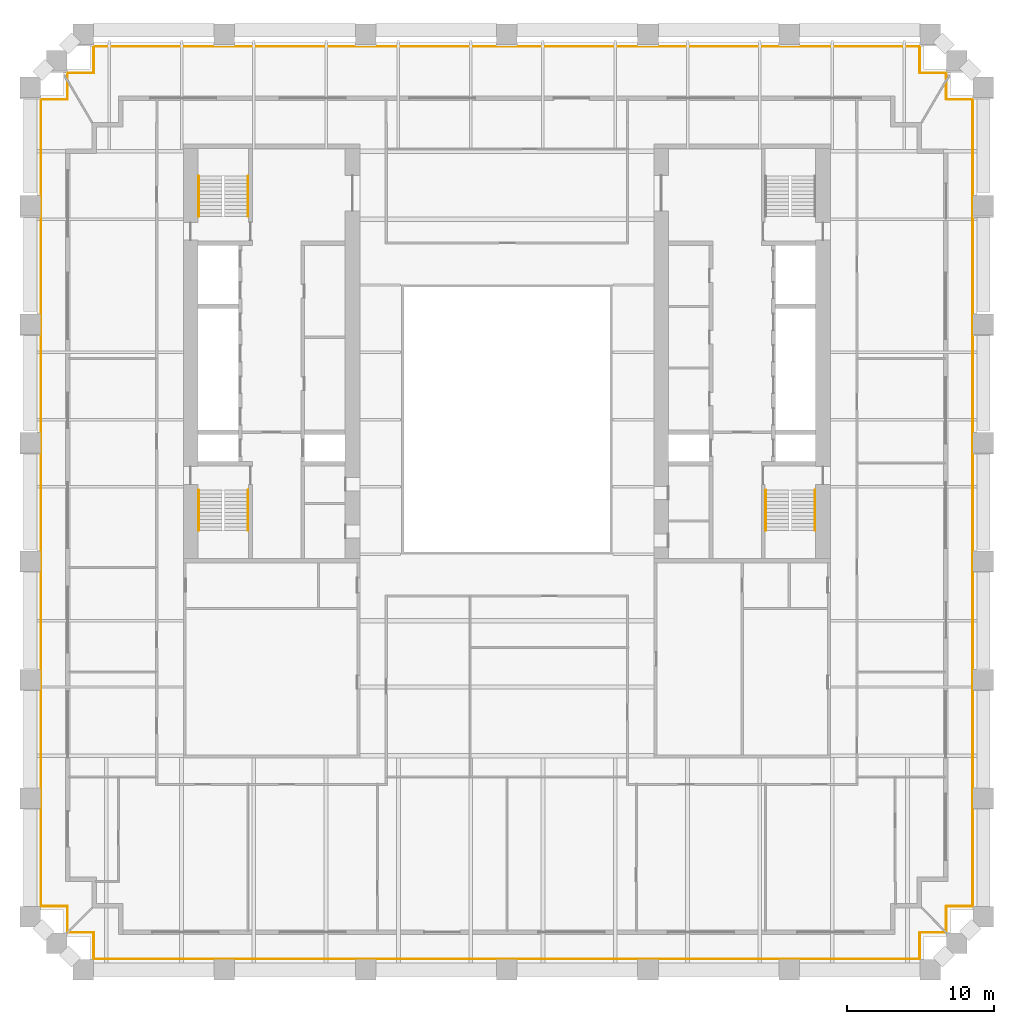
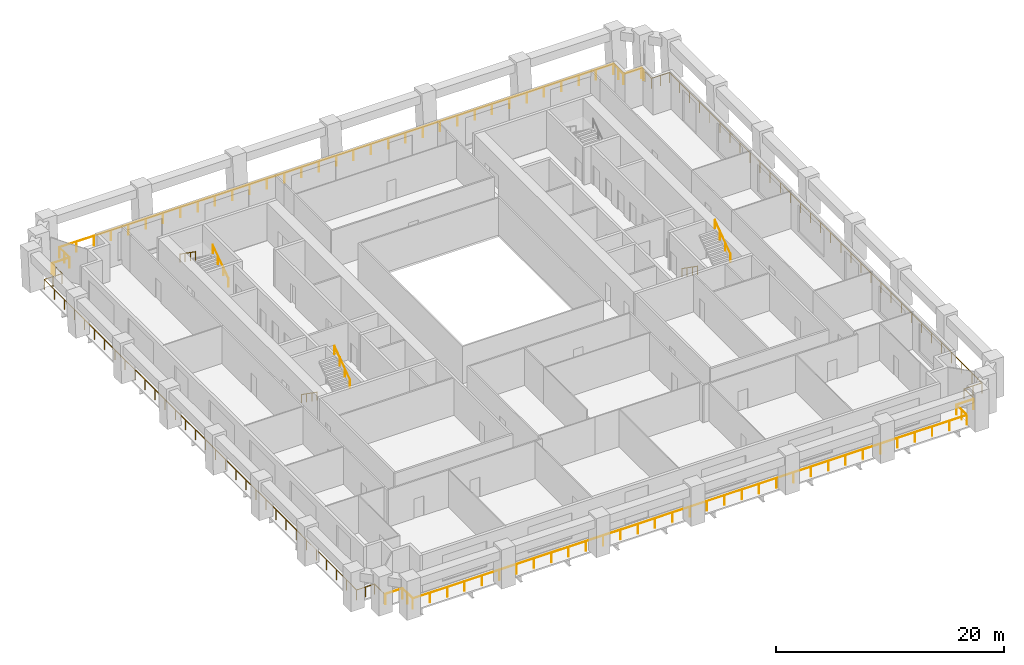
# One storey, part 9 of 10: 10 railings.
"""IFC4 building model written with IfcOpenShell, lengths in metres."""

from ifc_helpers import new_model, si_unit, direction, frame, origin, origin_2d, place, context, subcontext, project, spatial, circle, extrude, material, type_object, element, save


model = new_model("IFC4")

# Units and contexts
model_context = context("Model", 3, precision=1e-05, world=origin(), true_north=direction((0.0, 1.0)))
body_context = subcontext(model_context, "Body", "Model", "MODEL_VIEW")
ifc_project = project(units=[si_unit("LENGTHUNIT", "METRE"), si_unit("AREAUNIT", "SQUARE_METRE"), si_unit("VOLUMEUNIT", "CUBIC_METRE"), si_unit("PLANEANGLEUNIT", "RADIAN"), si_unit("MASSUNIT", "GRAM", prefix="KILO")], contexts=[model_context])

# Site, building, storey
site_placement = place(None, origin())
site = spatial("IfcSite", under=ifc_project, at=site_placement, CompositionType="ELEMENT")
building_placement = place(site_placement, origin())
building = spatial("IfcBuilding", under=site, at=building_placement, Name="Ogive Exchange Tower", CompositionType="ELEMENT")
storey_placement = place(building_placement, frame((0.0, 0.0, 52.199951171875)))
storey = spatial("IfcBuildingStorey", under=building, at=storey_placement, Name="L10", CompositionType="ELEMENT", Elevation=52.199951171875)

# Railings
ifc_material_1 = material(Name="Stainless steel 316", Category="steel")
railing_type_1 = type_object("IfcRailingType", Name="Guard 1100 stainless steel and glass", PredefinedType="GUARDRAIL", material=ifc_material_1)
railing_1_placement = place(storey_placement, frame((29.7880859375, -27.8798828125, -0.050048828125)))
element("IfcRailing", 1, at=railing_1_placement, inside=storey, type_object=railing_type_1, Name="Loggia guard 1", PredefinedType="GUARDRAIL", context=body_context, shape_type="SweptSolid", body=[
    extrude(circle(Radius=0.02392578125, at=origin_2d()), frame((0.0, 0.0, 1.076171875), z_axis=(-1.0, 0.0, 0.0), x_axis=(0.0, -1.0, 0.0)), (0.0, 0.0, 1.0), 1.7080078125),
    extrude(circle(Radius=0.02392578125, at=origin_2d()), frame((-1.7080078125, 0.0, 1.076171875), z_axis=(0.0, -1.0, 0.0), x_axis=(1.0, 0.0, 0.0)), (0.0, 0.0, 1.0), 1.800048828125),
    extrude(circle(Radius=0.02392578125, at=origin_2d()), frame((-1.7080078125, -1.800048828125, 1.076171875), z_axis=(-1.0, 0.0, 0.0), x_axis=(0.0, -1.0, 0.0)), (0.0, 0.0, 1.0), 56.16015625),
    extrude(circle(Radius=0.02392578125, at=origin_2d()), frame((-57.8681640625, -1.800048828125, 1.076171875), z_axis=(0.0, 1.0, 0.0), x_axis=(-1.0, 0.0, 0.0)), (0.0, 0.0, 1.0), 1.800048828125),
    extrude(circle(Radius=0.02392578125, at=origin_2d()), frame((-57.8681640625, 0.0, 1.076171875), z_axis=(-1.0, 0.0, 0.0), x_axis=(0.0, -1.0, 0.0)), (0.0, 0.0, 1.0), 1.7080078125),
    extrude(circle(Radius=0.02099609375, at=origin_2d()), origin(), (0.0, 0.0, 1.0), 1.052001953125),
    extrude(circle(Radius=0.02099609375, at=origin_2d()), frame((-1.7080078125, 0.0, 0.0)), (0.0, 0.0, 1.0), 1.052001953125),
    extrude(circle(Radius=0.02099609375, at=origin_2d()), frame((-1.7080078125, -0.89990234375, 0.0)), (0.0, 0.0, 1.0), 1.052001953125),
    extrude(circle(Radius=0.02099609375, at=origin_2d()), frame((-1.7080078125, -1.800048828125, 0.0)), (0.0, 0.0, 1.0), 1.052001953125),
    extrude(circle(Radius=0.02099609375, at=origin_2d()), frame((-3.462890625, -1.800048828125, 0.0)), (0.0, 0.0, 1.0), 1.052001953125),
    extrude(circle(Radius=0.02099609375, at=origin_2d()), frame((-5.218017578125, -1.800048828125, 0.0)), (0.0, 0.0, 1.0), 1.052001953125),
    extrude(circle(Radius=0.02099609375, at=origin_2d()), frame((-6.97314453125, -1.800048828125, 0.0)), (0.0, 0.0, 1.0), 1.052001953125),
    extrude(circle(Radius=0.02099609375, at=origin_2d()), frame((-8.72802734375, -1.800048828125, 0.0)), (0.0, 0.0, 1.0), 1.052001953125),
    extrude(circle(Radius=0.02099609375, at=origin_2d()), frame((-10.48291015625, -1.800048828125, 0.0)), (0.0, 0.0, 1.0), 1.052001953125),
    extrude(circle(Radius=0.02099609375, at=origin_2d()), frame((-12.238037109375, -1.800048828125, 0.0)), (0.0, 0.0, 1.0), 1.052001953125),
    extrude(circle(Radius=0.02099609375, at=origin_2d()), frame((-13.9931640625, -1.800048828125, 0.0)), (0.0, 0.0, 1.0), 1.052001953125),
    extrude(circle(Radius=0.02099609375, at=origin_2d()), frame((-15.748046875, -1.800048828125, 0.0)), (0.0, 0.0, 1.0), 1.052001953125),
    extrude(circle(Radius=0.02099609375, at=origin_2d()), frame((-17.5029296875, -1.800048828125, 0.0)), (0.0, 0.0, 1.0), 1.052001953125),
    extrude(circle(Radius=0.02099609375, at=origin_2d()), frame((-19.258056640625, -1.800048828125, 0.0)), (0.0, 0.0, 1.0), 1.052001953125),
    extrude(circle(Radius=0.02099609375, at=origin_2d()), frame((-21.01318359375, -1.800048828125, 0.0)), (0.0, 0.0, 1.0), 1.052001953125),
    extrude(circle(Radius=0.02099609375, at=origin_2d()), frame((-22.76806640625, -1.800048828125, 0.0)), (0.0, 0.0, 1.0), 1.052001953125),
    extrude(circle(Radius=0.02099609375, at=origin_2d()), frame((-24.52294921875, -1.800048828125, 0.0)), (0.0, 0.0, 1.0), 1.052001953125),
    extrude(circle(Radius=0.02099609375, at=origin_2d()), frame((-26.278076171875, -1.800048828125, 0.0)), (0.0, 0.0, 1.0), 1.052001953125),
    extrude(circle(Radius=0.02099609375, at=origin_2d()), frame((-28.033203125, -1.800048828125, 0.0)), (0.0, 0.0, 1.0), 1.052001953125),
    extrude(circle(Radius=0.02099609375, at=origin_2d()), frame((-29.7880859375, -1.800048828125, 0.0)), (0.0, 0.0, 1.0), 1.052001953125),
    extrude(circle(Radius=0.02099609375, at=origin_2d()), frame((-31.54296875, -1.800048828125, 0.0)), (0.0, 0.0, 1.0), 1.052001953125),
    extrude(circle(Radius=0.02099609375, at=origin_2d()), frame((-33.298095703125, -1.800048828125, 0.0)), (0.0, 0.0, 1.0), 1.052001953125),
    extrude(circle(Radius=0.02099609375, at=origin_2d()), frame((-35.05322265625, -1.800048828125, 0.0)), (0.0, 0.0, 1.0), 1.052001953125),
    extrude(circle(Radius=0.02099609375, at=origin_2d()), frame((-36.80810546875, -1.800048828125, 0.0)), (0.0, 0.0, 1.0), 1.052001953125),
    extrude(circle(Radius=0.02099609375, at=origin_2d()), frame((-38.56298828125, -1.800048828125, 0.0)), (0.0, 0.0, 1.0), 1.052001953125),
    extrude(circle(Radius=0.02099609375, at=origin_2d()), frame((-40.318115234375, -1.800048828125, 0.0)), (0.0, 0.0, 1.0), 1.052001953125),
    extrude(circle(Radius=0.02099609375, at=origin_2d()), frame((-42.0732421875, -1.800048828125, 0.0)), (0.0, 0.0, 1.0), 1.052001953125),
    extrude(circle(Radius=0.02099609375, at=origin_2d()), frame((-43.828125, -1.800048828125, 0.0)), (0.0, 0.0, 1.0), 1.052001953125),
    extrude(circle(Radius=0.02099609375, at=origin_2d()), frame((-45.5830078125, -1.800048828125, 0.0)), (0.0, 0.0, 1.0), 1.052001953125),
    extrude(circle(Radius=0.02099609375, at=origin_2d()), frame((-47.338134765625, -1.800048828125, 0.0)), (0.0, 0.0, 1.0), 1.052001953125),
    extrude(circle(Radius=0.02099609375, at=origin_2d()), frame((-49.09326171875, -1.800048828125, 0.0)), (0.0, 0.0, 1.0), 1.052001953125),
    extrude(circle(Radius=0.02099609375, at=origin_2d()), frame((-50.84814453125, -1.800048828125, 0.0)), (0.0, 0.0, 1.0), 1.052001953125),
    extrude(circle(Radius=0.02099609375, at=origin_2d()), frame((-52.60302734375, -1.800048828125, 0.0)), (0.0, 0.0, 1.0), 1.052001953125),
    extrude(circle(Radius=0.02099609375, at=origin_2d()), frame((-54.358154296875, -1.800048828125, 0.0)), (0.0, 0.0, 1.0), 1.052001953125),
    extrude(circle(Radius=0.02099609375, at=origin_2d()), frame((-56.11328125, -1.800048828125, 0.0)), (0.0, 0.0, 1.0), 1.052001953125),
    extrude(circle(Radius=0.02099609375, at=origin_2d()), frame((-57.8681640625, -1.800048828125, 0.0)), (0.0, 0.0, 1.0), 1.052001953125),
    extrude(circle(Radius=0.02099609375, at=origin_2d()), frame((-57.8681640625, -0.89990234375, 0.0)), (0.0, 0.0, 1.0), 1.052001953125),
    extrude(circle(Radius=0.02099609375, at=origin_2d()), frame((-57.8681640625, 0.0, 0.0)), (0.0, 0.0, 1.0), 1.052001953125),
    extrude(circle(Radius=0.02099609375, at=origin_2d()), frame((-59.576171875, 0.0, 0.0)), (0.0, 0.0, 1.0), 1.052001953125),
])
railing_2_placement = place(storey_placement, frame((-29.8798828125, -27.7880859375, -0.050048828125)))
element("IfcRailing", 2, at=railing_2_placement, inside=storey, type_object=railing_type_1, Name="Loggia guard 2", PredefinedType="GUARDRAIL", context=body_context, shape_type="SweptSolid", body=[
    extrude(circle(Radius=0.02392578125, at=origin_2d()), frame((0.0, 0.0, 1.076171875), z_axis=(0.0, 1.0, 0.0), x_axis=(-1.0, 0.0, 0.0)), (0.0, 0.0, 1.0), 1.7080078125),
    extrude(circle(Radius=0.02392578125, at=origin_2d()), frame((0.0, 1.7080078125, 1.076171875), z_axis=(-1.0, 0.0, 0.0), x_axis=(0.0, -1.0, 0.0)), (0.0, 0.0, 1.0), 1.800048828125),
    extrude(circle(Radius=0.02392578125, at=origin_2d()), frame((-1.800048828125, 1.7080078125, 1.076171875), z_axis=(0.0, 1.0, 0.0), x_axis=(-1.0, 0.0, 0.0)), (0.0, 0.0, 1.0), 54.85107421875),
    extrude(circle(Radius=0.02392578125, at=origin_2d()), frame((-1.800048828125, 56.55908203125, 1.076171875), z_axis=(1.0, 0.0, 0.0), x_axis=(0.0, 1.0, 0.0)), (0.0, 0.0, 1.0), 1.800048828125),
    extrude(circle(Radius=0.02392578125, at=origin_2d()), frame((0.0, 56.55908203125, 1.076171875), z_axis=(0.0, 1.0, 0.0), x_axis=(-1.0, 0.0, 0.0)), (0.0, 0.0, 1.0), 1.164306640625),
    extrude(circle(Radius=0.02099609375, at=origin_2d()), origin(), (0.0, 0.0, 1.0), 1.052001953125),
    extrude(circle(Radius=0.02099609375, at=origin_2d()), frame((0.0, 1.7080078125, 0.0)), (0.0, 0.0, 1.0), 1.052001953125),
    extrude(circle(Radius=0.02099609375, at=origin_2d()), frame((-0.89990234375, 1.7080078125, 0.0)), (0.0, 0.0, 1.0), 1.052001953125),
    extrude(circle(Radius=0.02099609375, at=origin_2d()), frame((-1.800048828125, 1.7080078125, 0.0)), (0.0, 0.0, 1.0), 1.052001953125),
    extrude(circle(Radius=0.02099609375, at=origin_2d()), frame((-1.800048828125, 3.477294921875, 0.0)), (0.0, 0.0, 1.0), 1.052001953125),
    extrude(circle(Radius=0.02099609375, at=origin_2d()), frame((-1.800048828125, 5.246826171875, 0.0)), (0.0, 0.0, 1.0), 1.052001953125),
    extrude(circle(Radius=0.02099609375, at=origin_2d()), frame((-1.800048828125, 7.01611328125, 0.0)), (0.0, 0.0, 1.0), 1.052001953125),
    extrude(circle(Radius=0.02099609375, at=origin_2d()), frame((-1.800048828125, 8.78564453125, 0.0)), (0.0, 0.0, 1.0), 1.052001953125),
    extrude(circle(Radius=0.02099609375, at=origin_2d()), frame((-1.800048828125, 10.554931640625, 0.0)), (0.0, 0.0, 1.0), 1.052001953125),
    extrude(circle(Radius=0.02099609375, at=origin_2d()), frame((-1.800048828125, 12.324462890625, 0.0)), (0.0, 0.0, 1.0), 1.052001953125),
    extrude(circle(Radius=0.02099609375, at=origin_2d()), frame((-1.800048828125, 14.09375, 0.0)), (0.0, 0.0, 1.0), 1.052001953125),
    extrude(circle(Radius=0.02099609375, at=origin_2d()), frame((-1.800048828125, 15.863037109375, 0.0)), (0.0, 0.0, 1.0), 1.052001953125),
    extrude(circle(Radius=0.02099609375, at=origin_2d()), frame((-1.800048828125, 17.632568359375, 0.0)), (0.0, 0.0, 1.0), 1.052001953125),
    extrude(circle(Radius=0.02099609375, at=origin_2d()), frame((-1.800048828125, 19.40185546875, 0.0)), (0.0, 0.0, 1.0), 1.052001953125),
    extrude(circle(Radius=0.02099609375, at=origin_2d()), frame((-1.800048828125, 21.17138671875, 0.0)), (0.0, 0.0, 1.0), 1.052001953125),
    extrude(circle(Radius=0.02099609375, at=origin_2d()), frame((-1.800048828125, 22.940673828125, 0.0)), (0.0, 0.0, 1.0), 1.052001953125),
    extrude(circle(Radius=0.02099609375, at=origin_2d()), frame((-1.800048828125, 24.7099609375, 0.0)), (0.0, 0.0, 1.0), 1.052001953125),
    extrude(circle(Radius=0.02099609375, at=origin_2d()), frame((-1.800048828125, 26.4794921875, 0.0)), (0.0, 0.0, 1.0), 1.052001953125),
    extrude(circle(Radius=0.02099609375, at=origin_2d()), frame((-1.800048828125, 28.248779296875, 0.0)), (0.0, 0.0, 1.0), 1.052001953125),
    extrude(circle(Radius=0.02099609375, at=origin_2d()), frame((-1.800048828125, 30.018310546875, 0.0)), (0.0, 0.0, 1.0), 1.052001953125),
    extrude(circle(Radius=0.02099609375, at=origin_2d()), frame((-1.800048828125, 31.78759765625, 0.0)), (0.0, 0.0, 1.0), 1.052001953125),
    extrude(circle(Radius=0.02099609375, at=origin_2d()), frame((-1.800048828125, 33.55712890625, 0.0)), (0.0, 0.0, 1.0), 1.052001953125),
    extrude(circle(Radius=0.02099609375, at=origin_2d()), frame((-1.800048828125, 35.326416015625, 0.0)), (0.0, 0.0, 1.0), 1.052001953125),
    extrude(circle(Radius=0.02099609375, at=origin_2d()), frame((-1.800048828125, 37.095703125, 0.0)), (0.0, 0.0, 1.0), 1.052001953125),
    extrude(circle(Radius=0.02099609375, at=origin_2d()), frame((-1.800048828125, 38.865234375, 0.0)), (0.0, 0.0, 1.0), 1.052001953125),
    extrude(circle(Radius=0.02099609375, at=origin_2d()), frame((-1.800048828125, 40.634521484375, 0.0)), (0.0, 0.0, 1.0), 1.052001953125),
    extrude(circle(Radius=0.02099609375, at=origin_2d()), frame((-1.800048828125, 42.404052734375, 0.0)), (0.0, 0.0, 1.0), 1.052001953125),
    extrude(circle(Radius=0.02099609375, at=origin_2d()), frame((-1.800048828125, 44.17333984375, 0.0)), (0.0, 0.0, 1.0), 1.052001953125),
    extrude(circle(Radius=0.02099609375, at=origin_2d()), frame((-1.800048828125, 45.942626953125, 0.0)), (0.0, 0.0, 1.0), 1.052001953125),
    extrude(circle(Radius=0.02099609375, at=origin_2d()), frame((-1.800048828125, 47.712158203125, 0.0)), (0.0, 0.0, 1.0), 1.052001953125),
    extrude(circle(Radius=0.02099609375, at=origin_2d()), frame((-1.800048828125, 49.4814453125, 0.0)), (0.0, 0.0, 1.0), 1.052001953125),
    extrude(circle(Radius=0.02099609375, at=origin_2d()), frame((-1.800048828125, 51.2509765625, 0.0)), (0.0, 0.0, 1.0), 1.052001953125),
    extrude(circle(Radius=0.02099609375, at=origin_2d()), frame((-1.800048828125, 53.020263671875, 0.0)), (0.0, 0.0, 1.0), 1.052001953125),
    extrude(circle(Radius=0.02099609375, at=origin_2d()), frame((-1.800048828125, 54.789794921875, 0.0)), (0.0, 0.0, 1.0), 1.052001953125),
    extrude(circle(Radius=0.02099609375, at=origin_2d()), frame((-1.800048828125, 56.55908203125, 0.0)), (0.0, 0.0, 1.0), 1.052001953125),
    extrude(circle(Radius=0.02099609375, at=origin_2d()), frame((-0.89990234375, 56.55908203125, 0.0)), (0.0, 0.0, 1.0), 1.052001953125),
    extrude(circle(Radius=0.02099609375, at=origin_2d()), frame((0.0, 56.55908203125, 0.0)), (0.0, 0.0, 1.0), 1.052001953125),
    extrude(circle(Radius=0.02099609375, at=origin_2d()), frame((0.0, 57.723388671875, 0.0)), (0.0, 0.0, 1.0), 1.052001953125),
])
railing_3_placement = place(storey_placement, frame((-29.8798828125, 30.192138671875, -0.050048828125)))
element("IfcRailing", 3, at=railing_3_placement, inside=storey, type_object=railing_type_1, Name="Loggia guard 3", PredefinedType="GUARDRAIL", context=body_context, shape_type="SweptSolid", body=[
    extrude(circle(Radius=0.02392578125, at=origin_2d()), frame((0.0, 0.0, 1.076171875), z_axis=(0.0, 1.0, 0.0), x_axis=(-1.0, 0.0, 0.0)), (0.0, 0.0, 1.0), 0.378662109375),
    extrude(circle(Radius=0.02392578125, at=origin_2d()), frame((0.0, 0.378662109375, 1.076171875), z_axis=(1.0, 0.0, 0.0), x_axis=(0.0, 1.0, 0.0)), (0.0, 0.0, 1.0), 1.7998046875),
    extrude(circle(Radius=0.02392578125, at=origin_2d()), frame((1.7998046875, 0.378662109375, 1.076171875), z_axis=(0.0, 1.0, 0.0), x_axis=(-1.0, 0.0, 0.0)), (0.0, 0.0, 1.0), 1.800048828125),
    extrude(circle(Radius=0.02392578125, at=origin_2d()), frame((1.7998046875, 2.1787109375, 1.076171875), z_axis=(1.0, 0.0, 0.0), x_axis=(0.0, 1.0, 0.0)), (0.0, 0.0, 1.0), 56.16015625),
    extrude(circle(Radius=0.02392578125, at=origin_2d()), frame((57.9599609375, 2.1787109375, 1.076171875), z_axis=(0.0, -1.0, 0.0), x_axis=(1.0, 0.0, 0.0)), (0.0, 0.0, 1.0), 1.800048828125),
    extrude(circle(Radius=0.02392578125, at=origin_2d()), frame((57.9599609375, 0.378662109375, 1.076171875), z_axis=(1.0, 0.0, 0.0), x_axis=(0.0, 1.0, 0.0)), (0.0, 0.0, 1.0), 1.7998046875),
    extrude(circle(Radius=0.02392578125, at=origin_2d()), frame((59.759765625, 0.378662109375, 1.076171875), z_axis=(0.0, -1.0, 0.0), x_axis=(1.0, 0.0, 0.0)), (0.0, 0.0, 1.0), 0.378662109375),
    extrude(circle(Radius=0.02099609375, at=origin_2d()), origin(), (0.0, 0.0, 1.0), 1.052001953125),
    extrude(circle(Radius=0.02099609375, at=origin_2d()), frame((0.0, 0.378662109375, 0.0)), (0.0, 0.0, 1.0), 1.052001953125),
    extrude(circle(Radius=0.02099609375, at=origin_2d()), frame((1.7998046875, 0.378662109375, 0.0)), (0.0, 0.0, 1.0), 1.052001953125),
    extrude(circle(Radius=0.02099609375, at=origin_2d()), frame((1.7998046875, 1.27880859375, 0.0)), (0.0, 0.0, 1.0), 1.052001953125),
    extrude(circle(Radius=0.02099609375, at=origin_2d()), frame((1.7998046875, 2.1787109375, 0.0)), (0.0, 0.0, 1.0), 1.052001953125),
    extrude(circle(Radius=0.02099609375, at=origin_2d()), frame((3.5546875, 2.1787109375, 0.0)), (0.0, 0.0, 1.0), 1.052001953125),
    extrude(circle(Radius=0.02099609375, at=origin_2d()), frame((5.309814453125, 2.1787109375, 0.0)), (0.0, 0.0, 1.0), 1.052001953125),
    extrude(circle(Radius=0.02099609375, at=origin_2d()), frame((7.06494140625, 2.1787109375, 0.0)), (0.0, 0.0, 1.0), 1.052001953125),
    extrude(circle(Radius=0.02099609375, at=origin_2d()), frame((8.81982421875, 2.1787109375, 0.0)), (0.0, 0.0, 1.0), 1.052001953125),
    extrude(circle(Radius=0.02099609375, at=origin_2d()), frame((10.57470703125, 2.1787109375, 0.0)), (0.0, 0.0, 1.0), 1.052001953125),
    extrude(circle(Radius=0.02099609375, at=origin_2d()), frame((12.329833984375, 2.1787109375, 0.0)), (0.0, 0.0, 1.0), 1.052001953125),
    extrude(circle(Radius=0.02099609375, at=origin_2d()), frame((14.0849609375, 2.1787109375, 0.0)), (0.0, 0.0, 1.0), 1.052001953125),
    extrude(circle(Radius=0.02099609375, at=origin_2d()), frame((15.83984375, 2.1787109375, 0.0)), (0.0, 0.0, 1.0), 1.052001953125),
    extrude(circle(Radius=0.02099609375, at=origin_2d()), frame((17.5947265625, 2.1787109375, 0.0)), (0.0, 0.0, 1.0), 1.052001953125),
    extrude(circle(Radius=0.02099609375, at=origin_2d()), frame((19.349853515625, 2.1787109375, 0.0)), (0.0, 0.0, 1.0), 1.052001953125),
    extrude(circle(Radius=0.02099609375, at=origin_2d()), frame((21.10498046875, 2.1787109375, 0.0)), (0.0, 0.0, 1.0), 1.052001953125),
    extrude(circle(Radius=0.02099609375, at=origin_2d()), frame((22.85986328125, 2.1787109375, 0.0)), (0.0, 0.0, 1.0), 1.052001953125),
    extrude(circle(Radius=0.02099609375, at=origin_2d()), frame((24.61474609375, 2.1787109375, 0.0)), (0.0, 0.0, 1.0), 1.052001953125),
    extrude(circle(Radius=0.02099609375, at=origin_2d()), frame((26.369873046875, 2.1787109375, 0.0)), (0.0, 0.0, 1.0), 1.052001953125),
    extrude(circle(Radius=0.02099609375, at=origin_2d()), frame((28.125, 2.1787109375, 0.0)), (0.0, 0.0, 1.0), 1.052001953125),
    extrude(circle(Radius=0.02099609375, at=origin_2d()), frame((29.8798828125, 2.1787109375, 0.0)), (0.0, 0.0, 1.0), 1.052001953125),
    extrude(circle(Radius=0.02099609375, at=origin_2d()), frame((31.634765625, 2.1787109375, 0.0)), (0.0, 0.0, 1.0), 1.052001953125),
    extrude(circle(Radius=0.02099609375, at=origin_2d()), frame((33.389892578125, 2.1787109375, 0.0)), (0.0, 0.0, 1.0), 1.052001953125),
    extrude(circle(Radius=0.02099609375, at=origin_2d()), frame((35.14501953125, 2.1787109375, 0.0)), (0.0, 0.0, 1.0), 1.052001953125),
    extrude(circle(Radius=0.02099609375, at=origin_2d()), frame((36.89990234375, 2.1787109375, 0.0)), (0.0, 0.0, 1.0), 1.052001953125),
    extrude(circle(Radius=0.02099609375, at=origin_2d()), frame((38.65478515625, 2.1787109375, 0.0)), (0.0, 0.0, 1.0), 1.052001953125),
    extrude(circle(Radius=0.02099609375, at=origin_2d()), frame((40.409912109375, 2.1787109375, 0.0)), (0.0, 0.0, 1.0), 1.052001953125),
    extrude(circle(Radius=0.02099609375, at=origin_2d()), frame((42.1650390625, 2.1787109375, 0.0)), (0.0, 0.0, 1.0), 1.052001953125),
    extrude(circle(Radius=0.02099609375, at=origin_2d()), frame((43.919921875, 2.1787109375, 0.0)), (0.0, 0.0, 1.0), 1.052001953125),
    extrude(circle(Radius=0.02099609375, at=origin_2d()), frame((45.6748046875, 2.1787109375, 0.0)), (0.0, 0.0, 1.0), 1.052001953125),
    extrude(circle(Radius=0.02099609375, at=origin_2d()), frame((47.429931640625, 2.1787109375, 0.0)), (0.0, 0.0, 1.0), 1.052001953125),
    extrude(circle(Radius=0.02099609375, at=origin_2d()), frame((49.18505859375, 2.1787109375, 0.0)), (0.0, 0.0, 1.0), 1.052001953125),
    extrude(circle(Radius=0.02099609375, at=origin_2d()), frame((50.93994140625, 2.1787109375, 0.0)), (0.0, 0.0, 1.0), 1.052001953125),
    extrude(circle(Radius=0.02099609375, at=origin_2d()), frame((52.69482421875, 2.1787109375, 0.0)), (0.0, 0.0, 1.0), 1.052001953125),
    extrude(circle(Radius=0.02099609375, at=origin_2d()), frame((54.449951171875, 2.1787109375, 0.0)), (0.0, 0.0, 1.0), 1.052001953125),
    extrude(circle(Radius=0.02099609375, at=origin_2d()), frame((56.205078125, 2.1787109375, 0.0)), (0.0, 0.0, 1.0), 1.052001953125),
    extrude(circle(Radius=0.02099609375, at=origin_2d()), frame((57.9599609375, 2.1787109375, 0.0)), (0.0, 0.0, 1.0), 1.052001953125),
    extrude(circle(Radius=0.02099609375, at=origin_2d()), frame((57.9599609375, 1.27880859375, 0.0)), (0.0, 0.0, 1.0), 1.052001953125),
    extrude(circle(Radius=0.02099609375, at=origin_2d()), frame((57.9599609375, 0.378662109375, 0.0)), (0.0, 0.0, 1.0), 1.052001953125),
    extrude(circle(Radius=0.02099609375, at=origin_2d()), frame((59.759765625, 0.378662109375, 0.0)), (0.0, 0.0, 1.0), 1.052001953125),
    extrude(circle(Radius=0.02099609375, at=origin_2d()), frame((59.759765625, 0.0, 0.0)), (0.0, 0.0, 1.0), 1.052001953125),
])
railing_4_placement = place(storey_placement, frame((29.8798828125, 29.935302734375, -0.050048828125)))
element("IfcRailing", 4, at=railing_4_placement, inside=storey, type_object=railing_type_1, Name="Loggia guard 4", PredefinedType="GUARDRAIL", context=body_context, shape_type="SweptSolid", body=[
    extrude(circle(Radius=0.02392578125, at=origin_2d()), frame((0.0, 0.0, 1.076171875), z_axis=(0.0, -1.0, 0.0), x_axis=(1.0, 0.0, 0.0)), (0.0, 0.0, 1.0), 1.164306640625),
    extrude(circle(Radius=0.02392578125, at=origin_2d()), frame((0.0, -1.164306640625, 1.076171875), z_axis=(1.0, 0.0, 0.0), x_axis=(0.0, 1.0, 0.0)), (0.0, 0.0, 1.0), 1.800048828125),
    extrude(circle(Radius=0.02392578125, at=origin_2d()), frame((1.800048828125, -1.164306640625, 1.076171875), z_axis=(0.0, -1.0, 0.0), x_axis=(1.0, 0.0, 0.0)), (0.0, 0.0, 1.0), 54.85107421875),
    extrude(circle(Radius=0.02392578125, at=origin_2d()), frame((1.800048828125, -56.015380859375, 1.076171875), z_axis=(-1.0, 0.0, 0.0), x_axis=(0.0, -1.0, 0.0)), (0.0, 0.0, 1.0), 1.800048828125),
    extrude(circle(Radius=0.02392578125, at=origin_2d()), frame((0.0, -56.015380859375, 1.076171875), z_axis=(0.0, -1.0, 0.0), x_axis=(1.0, 0.0, 0.0)), (0.0, 0.0, 1.0), 1.7080078125),
    extrude(circle(Radius=0.02099609375, at=origin_2d()), origin(), (0.0, 0.0, 1.0), 1.052001953125),
    extrude(circle(Radius=0.02099609375, at=origin_2d()), frame((0.0, -1.164306640625, 0.0)), (0.0, 0.0, 1.0), 1.052001953125),
    extrude(circle(Radius=0.02099609375, at=origin_2d()), frame((0.89990234375, -1.164306640625, 0.0)), (0.0, 0.0, 1.0), 1.052001953125),
    extrude(circle(Radius=0.02099609375, at=origin_2d()), frame((1.800048828125, -1.164306640625, 0.0)), (0.0, 0.0, 1.0), 1.052001953125),
    extrude(circle(Radius=0.02099609375, at=origin_2d()), frame((1.800048828125, -2.93359375, 0.0)), (0.0, 0.0, 1.0), 1.052001953125),
    extrude(circle(Radius=0.02099609375, at=origin_2d()), frame((1.800048828125, -4.703125, 0.0)), (0.0, 0.0, 1.0), 1.052001953125),
    extrude(circle(Radius=0.02099609375, at=origin_2d()), frame((1.800048828125, -6.472412109375, 0.0)), (0.0, 0.0, 1.0), 1.052001953125),
    extrude(circle(Radius=0.02099609375, at=origin_2d()), frame((1.800048828125, -8.241943359375, 0.0)), (0.0, 0.0, 1.0), 1.052001953125),
    extrude(circle(Radius=0.02099609375, at=origin_2d()), frame((1.800048828125, -10.01123046875, 0.0)), (0.0, 0.0, 1.0), 1.052001953125),
    extrude(circle(Radius=0.02099609375, at=origin_2d()), frame((1.800048828125, -11.78076171875, 0.0)), (0.0, 0.0, 1.0), 1.052001953125),
    extrude(circle(Radius=0.02099609375, at=origin_2d()), frame((1.800048828125, -13.550048828125, 0.0)), (0.0, 0.0, 1.0), 1.052001953125),
    extrude(circle(Radius=0.02099609375, at=origin_2d()), frame((1.800048828125, -15.3193359375, 0.0)), (0.0, 0.0, 1.0), 1.052001953125),
    extrude(circle(Radius=0.02099609375, at=origin_2d()), frame((1.800048828125, -17.0888671875, 0.0)), (0.0, 0.0, 1.0), 1.052001953125),
    extrude(circle(Radius=0.02099609375, at=origin_2d()), frame((1.800048828125, -18.858154296875, 0.0)), (0.0, 0.0, 1.0), 1.052001953125),
    extrude(circle(Radius=0.02099609375, at=origin_2d()), frame((1.800048828125, -20.627685546875, 0.0)), (0.0, 0.0, 1.0), 1.052001953125),
    extrude(circle(Radius=0.02099609375, at=origin_2d()), frame((1.800048828125, -22.39697265625, 0.0)), (0.0, 0.0, 1.0), 1.052001953125),
    extrude(circle(Radius=0.02099609375, at=origin_2d()), frame((1.800048828125, -24.166259765625, 0.0)), (0.0, 0.0, 1.0), 1.052001953125),
    extrude(circle(Radius=0.02099609375, at=origin_2d()), frame((1.800048828125, -25.935791015625, 0.0)), (0.0, 0.0, 1.0), 1.052001953125),
    extrude(circle(Radius=0.02099609375, at=origin_2d()), frame((1.800048828125, -27.705078125, 0.0)), (0.0, 0.0, 1.0), 1.052001953125),
    extrude(circle(Radius=0.02099609375, at=origin_2d()), frame((1.800048828125, -29.474609375, 0.0)), (0.0, 0.0, 1.0), 1.052001953125),
    extrude(circle(Radius=0.02099609375, at=origin_2d()), frame((1.800048828125, -31.243896484375, 0.0)), (0.0, 0.0, 1.0), 1.052001953125),
    extrude(circle(Radius=0.02099609375, at=origin_2d()), frame((1.800048828125, -33.013427734375, 0.0)), (0.0, 0.0, 1.0), 1.052001953125),
    extrude(circle(Radius=0.02099609375, at=origin_2d()), frame((1.800048828125, -34.78271484375, 0.0)), (0.0, 0.0, 1.0), 1.052001953125),
    extrude(circle(Radius=0.02099609375, at=origin_2d()), frame((1.800048828125, -36.552001953125, 0.0)), (0.0, 0.0, 1.0), 1.052001953125),
    extrude(circle(Radius=0.02099609375, at=origin_2d()), frame((1.800048828125, -38.321533203125, 0.0)), (0.0, 0.0, 1.0), 1.052001953125),
    extrude(circle(Radius=0.02099609375, at=origin_2d()), frame((1.800048828125, -40.0908203125, 0.0)), (0.0, 0.0, 1.0), 1.052001953125),
    extrude(circle(Radius=0.02099609375, at=origin_2d()), frame((1.800048828125, -41.8603515625, 0.0)), (0.0, 0.0, 1.0), 1.052001953125),
    extrude(circle(Radius=0.02099609375, at=origin_2d()), frame((1.800048828125, -43.629638671875, 0.0)), (0.0, 0.0, 1.0), 1.052001953125),
    extrude(circle(Radius=0.02099609375, at=origin_2d()), frame((1.800048828125, -45.39892578125, 0.0)), (0.0, 0.0, 1.0), 1.052001953125),
    extrude(circle(Radius=0.02099609375, at=origin_2d()), frame((1.800048828125, -47.16845703125, 0.0)), (0.0, 0.0, 1.0), 1.052001953125),
    extrude(circle(Radius=0.02099609375, at=origin_2d()), frame((1.800048828125, -48.937744140625, 0.0)), (0.0, 0.0, 1.0), 1.052001953125),
    extrude(circle(Radius=0.02099609375, at=origin_2d()), frame((1.800048828125, -50.707275390625, 0.0)), (0.0, 0.0, 1.0), 1.052001953125),
    extrude(circle(Radius=0.02099609375, at=origin_2d()), frame((1.800048828125, -52.4765625, 0.0)), (0.0, 0.0, 1.0), 1.052001953125),
    extrude(circle(Radius=0.02099609375, at=origin_2d()), frame((1.800048828125, -54.24609375, 0.0)), (0.0, 0.0, 1.0), 1.052001953125),
    extrude(circle(Radius=0.02099609375, at=origin_2d()), frame((1.800048828125, -56.015380859375, 0.0)), (0.0, 0.0, 1.0), 1.052001953125),
    extrude(circle(Radius=0.02099609375, at=origin_2d()), frame((0.89990234375, -56.015380859375, 0.0)), (0.0, 0.0, 1.0), 1.052001953125),
    extrude(circle(Radius=0.02099609375, at=origin_2d()), frame((0.0, -56.015380859375, 0.0)), (0.0, 0.0, 1.0), 1.052001953125),
    extrude(circle(Radius=0.02099609375, at=origin_2d()), frame((0.0, -57.723388671875, 0.0)), (0.0, 0.0, 1.0), 1.052001953125),
])
ifc_material_2 = material(Name="Stainless steel", Category="steel")
railing_type_2 = type_object("IfcRailingType", Name="Stair handrail 900", PredefinedType="HANDRAIL", material=ifc_material_2)
railing_5_placement = place(storey_placement, frame((-20.949951171875, 2.199951171875, 0.175048828125)))
element("IfcRailing", 5, at=railing_5_placement, inside=storey, type_object=railing_type_2, Name="L10 ST1 stair handrail 1", PredefinedType="HANDRAIL", context=body_context, shape_type="SweptSolid", body=[
    extrude(circle(Radius=0.02392578125, at=origin_2d()), frame((0.0, 0.0, 0.8759765625), z_axis=(0.0, -0.819225086817, 0.573472106672), x_axis=(1.0, 0.0, 0.0)), (0.0, 0.0, 1.0), 3.35693359375),
    extrude(circle(Radius=0.02099609375, at=origin_2d()), origin(), (0.0, 0.0, 1.0), 0.851806640625),
    extrude(circle(Radius=0.02099609375, at=origin_2d()), frame((0.0, -0.916748046875, 0.6416015625)), (0.0, 0.0, 1.0), 0.851806640625),
    extrude(circle(Radius=0.02099609375, at=origin_2d()), frame((0.0, -1.833251953125, 1.283447265625)), (0.0, 0.0, 1.0), 0.851806640625),
    extrude(circle(Radius=0.02099609375, at=origin_2d()), frame((0.0, -2.75, 1.925048828125)), (0.0, 0.0, 1.0), 0.851806640625),
])
railing_6_placement = place(storey_placement, frame((-17.60009765625, -0.550048828125, 2.275146484375)))
element("IfcRailing", 6, at=railing_6_placement, inside=storey, type_object=railing_type_2, Name="L10 ST1 stair handrail 2", PredefinedType="HANDRAIL", context=body_context, shape_type="SweptSolid", body=[
    extrude(circle(Radius=0.02392578125, at=origin_2d()), frame((0.0, 0.0, 0.8759765625), z_axis=(0.0, 0.819259255306, 0.573423292687), x_axis=(-1.0, 0.0, 0.0)), (0.0, 0.0, 1.0), 3.356689453125),
    extrude(circle(Radius=0.02099609375, at=origin_2d()), origin(), (0.0, 0.0, 1.0), 0.851806640625),
    extrude(circle(Radius=0.02099609375, at=origin_2d()), frame((0.0, 0.916748046875, 0.6416015625)), (0.0, 0.0, 1.0), 0.851806640625),
    extrude(circle(Radius=0.02099609375, at=origin_2d()), frame((0.0, 1.833251953125, 1.283203125)), (0.0, 0.0, 1.0), 0.851806640625),
    extrude(circle(Radius=0.02099609375, at=origin_2d()), frame((0.0, 2.75, 1.9248046875)), (0.0, 0.0, 1.0), 0.851806640625),
])
railing_7_placement = place(storey_placement, frame((-17.60009765625, 20.800048828125, 0.175048828125)))
element("IfcRailing", 7, at=railing_7_placement, inside=storey, type_object=railing_type_2, Name="L10 ST2 stair handrail 1", PredefinedType="HANDRAIL", context=body_context, shape_type="SweptSolid", body=[
    extrude(circle(Radius=0.02392578125, at=origin_2d()), frame((0.0, 0.0, 0.8759765625), z_axis=(0.0, 0.819225086817, 0.573472106672), x_axis=(-1.0, 0.0, 0.0)), (0.0, 0.0, 1.0), 3.35693359375),
    extrude(circle(Radius=0.02099609375, at=origin_2d()), origin(), (0.0, 0.0, 1.0), 0.851806640625),
    extrude(circle(Radius=0.02099609375, at=origin_2d()), frame((0.0, 0.916748046875, 0.6416015625)), (0.0, 0.0, 1.0), 0.851806640625),
    extrude(circle(Radius=0.02099609375, at=origin_2d()), frame((0.0, 1.833251953125, 1.283447265625)), (0.0, 0.0, 1.0), 0.851806640625),
    extrude(circle(Radius=0.02099609375, at=origin_2d()), frame((0.0, 2.75, 1.925048828125)), (0.0, 0.0, 1.0), 0.851806640625),
])
railing_8_placement = place(storey_placement, frame((-20.949951171875, 23.550048828125, 2.275146484375)))
element("IfcRailing", 8, at=railing_8_placement, inside=storey, type_object=railing_type_2, Name="L10 ST2 stair handrail 2", PredefinedType="HANDRAIL", context=body_context, shape_type="SweptSolid", body=[
    extrude(circle(Radius=0.02392578125, at=origin_2d()), frame((0.0, 0.0, 0.8759765625), z_axis=(0.0, -0.819259255306, 0.573423292687), x_axis=(1.0, 0.0, 0.0)), (0.0, 0.0, 1.0), 3.356689453125),
    extrude(circle(Radius=0.02099609375, at=origin_2d()), origin(), (0.0, 0.0, 1.0), 0.851806640625),
    extrude(circle(Radius=0.02099609375, at=origin_2d()), frame((0.0, -0.916748046875, 0.6416015625)), (0.0, 0.0, 1.0), 0.851806640625),
    extrude(circle(Radius=0.02099609375, at=origin_2d()), frame((0.0, -1.833251953125, 1.283203125)), (0.0, 0.0, 1.0), 0.851806640625),
    extrude(circle(Radius=0.02099609375, at=origin_2d()), frame((0.0, -2.75, 1.9248046875)), (0.0, 0.0, 1.0), 0.851806640625),
])
railing_9_placement = place(storey_placement, frame((17.60009765625, 2.199951171875, 0.175048828125)))
element("IfcRailing", 9, at=railing_9_placement, inside=storey, type_object=railing_type_2, Name="L10 ST3 stair handrail 1", PredefinedType="HANDRAIL", context=body_context, shape_type="SweptSolid", body=[
    extrude(circle(Radius=0.02392578125, at=origin_2d()), frame((0.0, 0.0, 0.8759765625), z_axis=(0.0, -0.819225086817, 0.573472106672), x_axis=(1.0, 0.0, 0.0)), (0.0, 0.0, 1.0), 3.35693359375),
    extrude(circle(Radius=0.02099609375, at=origin_2d()), origin(), (0.0, 0.0, 1.0), 0.851806640625),
    extrude(circle(Radius=0.02099609375, at=origin_2d()), frame((0.0, -0.916748046875, 0.6416015625)), (0.0, 0.0, 1.0), 0.851806640625),
    extrude(circle(Radius=0.02099609375, at=origin_2d()), frame((0.0, -1.833251953125, 1.283447265625)), (0.0, 0.0, 1.0), 0.851806640625),
    extrude(circle(Radius=0.02099609375, at=origin_2d()), frame((0.0, -2.75, 1.925048828125)), (0.0, 0.0, 1.0), 0.851806640625),
])
railing_10_placement = place(storey_placement, frame((20.949951171875, -0.550048828125, 2.275146484375)))
element("IfcRailing", 10, at=railing_10_placement, inside=storey, type_object=railing_type_2, Name="L10 ST3 stair handrail 2", PredefinedType="HANDRAIL", context=body_context, shape_type="SweptSolid", body=[
    extrude(circle(Radius=0.02392578125, at=origin_2d()), frame((0.0, 0.0, 0.8759765625), z_axis=(0.0, 0.819259255306, 0.573423292687), x_axis=(-1.0, 0.0, 0.0)), (0.0, 0.0, 1.0), 3.356689453125),
    extrude(circle(Radius=0.02099609375, at=origin_2d()), origin(), (0.0, 0.0, 1.0), 0.851806640625),
    extrude(circle(Radius=0.02099609375, at=origin_2d()), frame((0.0, 0.916748046875, 0.6416015625)), (0.0, 0.0, 1.0), 0.851806640625),
    extrude(circle(Radius=0.02099609375, at=origin_2d()), frame((0.0, 1.833251953125, 1.283203125)), (0.0, 0.0, 1.0), 0.851806640625),
    extrude(circle(Radius=0.02099609375, at=origin_2d()), frame((0.0, 2.75, 1.9248046875)), (0.0, 0.0, 1.0), 0.851806640625),
])

save(model, "model.ifc")
